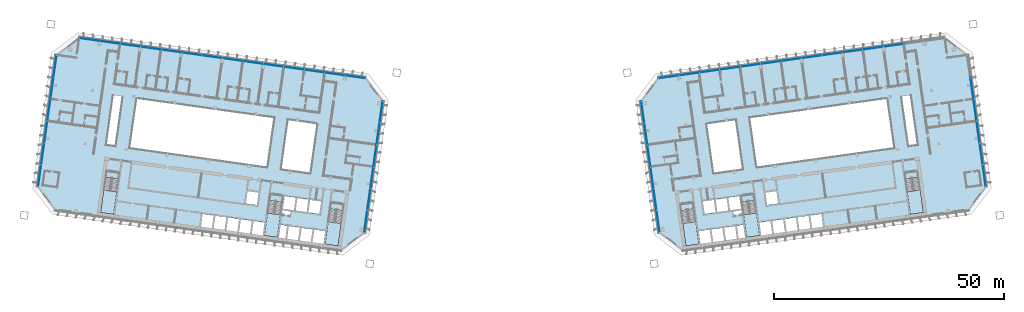
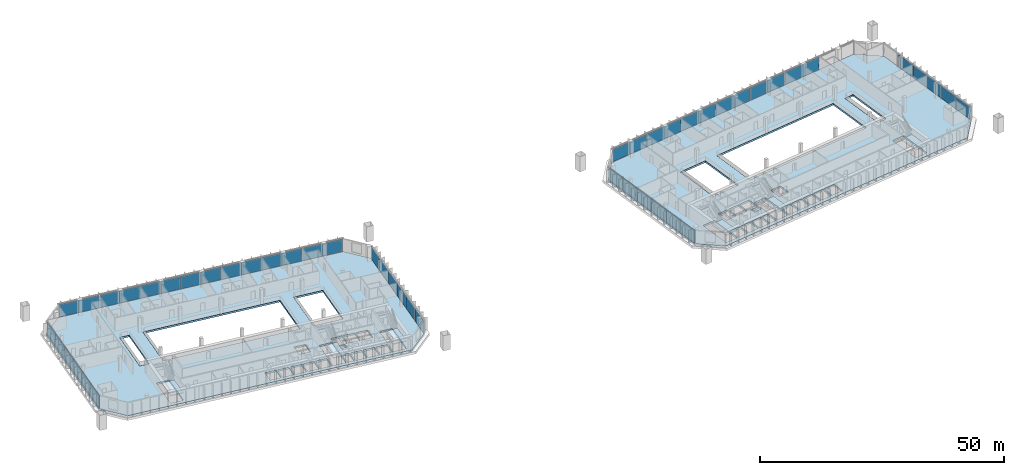
# One storey, part 12 of 25: 49 plates, 8 slabs, 12 elements without a shape of their own.
"""IFC4 building model written with IfcOpenShell, lengths in metres."""

from ifc_helpers import new_model, si_unit, direction, frame, origin, origin_2d, place, context, subcontext, project, spatial, polyline, rectangle, outline, extrude, material, layer, layer_set, type_object, element, aggregate, save


model = new_model("IFC4")

# Units and contexts
model_context = context("Model", 3, precision=1e-05, world=origin(), true_north=direction((0.0, 1.0)))
body_context = subcontext(model_context, "Body", "Model", "MODEL_VIEW")
ifc_project = project(units=[si_unit("LENGTHUNIT", "METRE"), si_unit("AREAUNIT", "SQUARE_METRE"), si_unit("VOLUMEUNIT", "CUBIC_METRE"), si_unit("PLANEANGLEUNIT", "RADIAN"), si_unit("MASSUNIT", "GRAM", prefix="KILO")], contexts=[model_context])

# Site, building, storey
site_placement = place(None, origin())
site = spatial("IfcSite", under=ifc_project, at=site_placement, CompositionType="ELEMENT")
building_placement = place(site_placement, origin())
building = spatial("IfcBuilding", under=site, at=building_placement, Name="Mirante Cascada Hotel Towers", CompositionType="ELEMENT")
storey_placement = place(building_placement, frame((0.0, 0.0, 136.7)))
storey = spatial("IfcBuildingStorey", under=building, at=storey_placement, Name="L31", CompositionType="ELEMENT", Elevation=136.7)

# Curtain wall, plates
ifc_material_1 = material(Name="Aluminium mullion and transom frame with clear laminated glass", Category="aluminium")
curtain_wall_type_1 = type_object("IfcCurtainWallType", Name="Ribbon curtain wall ECW1", PredefinedType="NOTDEFINED", material=ifc_material_1)
curtain_wall_1_placement = place(storey_placement, origin())
curtain_wall_1 = element("IfcCurtainWall", 1, at=curtain_wall_1_placement, inside=storey, type_object=curtain_wall_type_1, Name="Front ribbon wall T1 L31", PredefinedType="NOTDEFINED")
ifc_material_2 = material(Name="Clear laminated glass", Category="glass")
ifc_layer_1 = layer(ifc_material_2, 0.036)
ifc_layer_set_1 = layer_set([ifc_layer_1], Name="ECW1 glass panel 36")
plate_type_1 = type_object("IfcPlateType", Name="ECW1 glass panel 36", PredefinedType="CURTAIN_PANEL", material=ifc_layer_set_1)
plate_1_placement = place(storey_placement, frame((-91.9184, 25.7373, 0.1), z_axis=(0.0, 0.0, 1.0), x_axis=(0.9902681, -0.1391731, 0.0)))
plate_1 = element("IfcPlate", 2, at=plate_1_placement, type_object=plate_type_1, Name="ECW1 panel 1", PredefinedType="CURTAIN_PANEL", context=body_context, shape_type="SweptSolid", body=[
    extrude(rectangle(XDim=4.3936, YDim=0.036, at=origin_2d()), origin(), (0.0, 0.0, 1.0), 3.15),
])
plate_2_placement = place(storey_placement, frame((-87.487, 25.1145, 0.1), z_axis=(0.0, 0.0, 1.0), x_axis=(0.9902681, -0.1391731, 0.0)))
plate_2 = element("IfcPlate", 3, at=plate_2_placement, type_object=plate_type_1, Name="ECW1 panel 2", PredefinedType="CURTAIN_PANEL", context=body_context, shape_type="SweptSolid", body=[
    extrude(rectangle(XDim=4.4261, YDim=0.036, at=origin_2d()), origin(), (0.0, 0.0, 1.0), 3.15),
])
plate_3_placement = place(storey_placement, frame((-83.0396, 24.4895, 0.1), z_axis=(0.0, 0.0, 1.0), x_axis=(0.9902681, -0.1391731, 0.0)))
plate_3 = element("IfcPlate", 4, at=plate_3_placement, type_object=plate_type_1, Name="ECW1 panel 3", PredefinedType="CURTAIN_PANEL", context=body_context, shape_type="SweptSolid", body=[
    extrude(rectangle(XDim=4.4261, YDim=0.036, at=origin_2d()), origin(), (0.0, 0.0, 1.0), 3.15),
])
plate_4_placement = place(storey_placement, frame((-78.5922, 23.8644, 0.1), z_axis=(0.0, 0.0, 1.0), x_axis=(0.9902681, -0.1391731, 0.0)))
plate_4 = element("IfcPlate", 5, at=plate_4_placement, type_object=plate_type_1, Name="ECW1 panel 4", PredefinedType="CURTAIN_PANEL", context=body_context, shape_type="SweptSolid", body=[
    extrude(rectangle(XDim=4.4261, YDim=0.036, at=origin_2d()), origin(), (0.0, 0.0, 1.0), 3.15),
])
plate_5_placement = place(storey_placement, frame((-74.1448, 23.2394, 0.1), z_axis=(0.0, 0.0, 1.0), x_axis=(0.9902681, -0.1391731, 0.0)))
plate_5 = element("IfcPlate", 6, at=plate_5_placement, type_object=plate_type_1, Name="ECW1 panel 5", PredefinedType="CURTAIN_PANEL", context=body_context, shape_type="SweptSolid", body=[
    extrude(rectangle(XDim=4.4261, YDim=0.036, at=origin_2d()), origin(), (0.0, 0.0, 1.0), 3.15),
])
plate_6_placement = place(storey_placement, frame((-69.6974, 22.6144, 0.1), z_axis=(0.0, 0.0, 1.0), x_axis=(0.9902681, -0.1391731, 0.0)))
plate_6 = element("IfcPlate", 7, at=plate_6_placement, type_object=plate_type_1, Name="ECW1 panel 6", PredefinedType="CURTAIN_PANEL", context=body_context, shape_type="SweptSolid", body=[
    extrude(rectangle(XDim=4.4261, YDim=0.036, at=origin_2d()), origin(), (0.0, 0.0, 1.0), 3.15),
])
plate_7_placement = place(storey_placement, frame((-65.2499, 21.9893, 0.1), z_axis=(0.0, 0.0, 1.0), x_axis=(0.9902681, -0.1391731, 0.0)))
plate_7 = element("IfcPlate", 8, at=plate_7_placement, type_object=plate_type_1, Name="ECW1 panel 7", PredefinedType="CURTAIN_PANEL", context=body_context, shape_type="SweptSolid", body=[
    extrude(rectangle(XDim=4.4261, YDim=0.036, at=origin_2d()), origin(), (0.0, 0.0, 1.0), 3.15),
])
plate_8_placement = place(storey_placement, frame((-60.8025, 21.3643, 0.1), z_axis=(0.0, 0.0, 1.0), x_axis=(0.9902681, -0.1391731, 0.0)))
plate_8 = element("IfcPlate", 9, at=plate_8_placement, type_object=plate_type_1, Name="ECW1 panel 8", PredefinedType="CURTAIN_PANEL", context=body_context, shape_type="SweptSolid", body=[
    extrude(rectangle(XDim=4.4261, YDim=0.036, at=origin_2d()), origin(), (0.0, 0.0, 1.0), 3.15),
])
plate_9_placement = place(storey_placement, frame((-56.3551, 20.7392, 0.1), z_axis=(0.0, 0.0, 1.0), x_axis=(0.9902681, -0.1391731, 0.0)))
plate_9 = element("IfcPlate", 10, at=plate_9_placement, type_object=plate_type_1, Name="ECW1 panel 9", PredefinedType="CURTAIN_PANEL", context=body_context, shape_type="SweptSolid", body=[
    extrude(rectangle(XDim=4.4261, YDim=0.036, at=origin_2d()), origin(), (0.0, 0.0, 1.0), 3.15),
])
plate_10_placement = place(storey_placement, frame((-51.9077, 20.1142, 0.1), z_axis=(0.0, 0.0, 1.0), x_axis=(0.9902681, -0.1391731, 0.0)))
plate_10 = element("IfcPlate", 11, at=plate_10_placement, type_object=plate_type_1, Name="ECW1 panel 10", PredefinedType="CURTAIN_PANEL", context=body_context, shape_type="SweptSolid", body=[
    extrude(rectangle(XDim=4.4261, YDim=0.036, at=origin_2d()), origin(), (0.0, 0.0, 1.0), 3.15),
])
plate_11_placement = place(storey_placement, frame((-47.4603, 19.4891, 0.1), z_axis=(0.0, 0.0, 1.0), x_axis=(0.9902681, -0.1391731, 0.0)))
plate_11 = element("IfcPlate", 12, at=plate_11_placement, type_object=plate_type_1, Name="ECW1 panel 11", PredefinedType="CURTAIN_PANEL", context=body_context, shape_type="SweptSolid", body=[
    extrude(rectangle(XDim=4.4261, YDim=0.036, at=origin_2d()), origin(), (0.0, 0.0, 1.0), 3.15),
])
plate_12_placement = place(storey_placement, frame((-43.0129, 18.8641, 0.1), z_axis=(0.0, 0.0, 1.0), x_axis=(0.9902681, -0.1391731, 0.0)))
plate_12 = element("IfcPlate", 13, at=plate_12_placement, type_object=plate_type_1, Name="ECW1 panel 12", PredefinedType="CURTAIN_PANEL", context=body_context, shape_type="SweptSolid", body=[
    extrude(rectangle(XDim=4.4261, YDim=0.036, at=origin_2d()), origin(), (0.0, 0.0, 1.0), 3.15),
])
plate_13_placement = place(storey_placement, frame((-38.5654, 18.239, 0.1), z_axis=(0.0, 0.0, 1.0), x_axis=(0.9902681, -0.1391731, 0.0)))
plate_13 = element("IfcPlate", 14, at=plate_13_placement, type_object=plate_type_1, Name="ECW1 panel 13", PredefinedType="CURTAIN_PANEL", context=body_context, shape_type="SweptSolid", body=[
    extrude(rectangle(XDim=4.4261, YDim=0.036, at=origin_2d()), origin(), (0.0, 0.0, 1.0), 3.15),
])
plate_14_placement = place(storey_placement, frame((-34.1341, 17.6163, 0.1), z_axis=(0.0, 0.0, 1.0), x_axis=(0.9902681, -0.1391731, 0.0)))
plate_14 = element("IfcPlate", 15, at=plate_14_placement, type_object=plate_type_1, Name="ECW1 panel 14", PredefinedType="CURTAIN_PANEL", context=body_context, shape_type="SweptSolid", body=[
    extrude(rectangle(XDim=4.3936, YDim=0.036, at=origin_2d()), origin(), (0.0, 0.0, 1.0), 3.15),
])
aggregate(curtain_wall_1, [plate_1, plate_2, plate_3, plate_4, plate_5, plate_6, plate_7, plate_8, plate_9, plate_10, plate_11, plate_12, plate_13, plate_14])

curtain_wall_2_placement = place(storey_placement, origin())
curtain_wall_2 = element("IfcCurtainWall", 16, at=curtain_wall_2_placement, inside=storey, type_object=curtain_wall_type_1, Name="Front ribbon wall T2 L31", PredefinedType="NOTDEFINED")
plate_15_placement = place(storey_placement, frame((83.0396, 24.4895, 0.1), z_axis=(0.0, 0.0, 1.0), x_axis=(-0.9902681, -0.1391731, 0.0)))
plate_15 = element("IfcPlate", 17, at=plate_15_placement, type_object=plate_type_1, Name="ECW1 panel 3", PredefinedType="CURTAIN_PANEL", context=body_context, shape_type="SweptSolid", body=[
    extrude(rectangle(XDim=4.4261, YDim=0.036, at=origin_2d()), origin(), (0.0, 0.0, 1.0), 3.15),
])
plate_16_placement = place(storey_placement, frame((78.5922, 23.8644, 0.1), z_axis=(0.0, 0.0, 1.0), x_axis=(-0.9902681, -0.1391731, 0.0)))
plate_16 = element("IfcPlate", 18, at=plate_16_placement, type_object=plate_type_1, Name="ECW1 panel 4", PredefinedType="CURTAIN_PANEL", context=body_context, shape_type="SweptSolid", body=[
    extrude(rectangle(XDim=4.4261, YDim=0.036, at=origin_2d()), origin(), (0.0, 0.0, 1.0), 3.15),
])
plate_17_placement = place(storey_placement, frame((74.1448, 23.2394, 0.1), z_axis=(0.0, 0.0, 1.0), x_axis=(-0.9902681, -0.1391731, 0.0)))
plate_17 = element("IfcPlate", 19, at=plate_17_placement, type_object=plate_type_1, Name="ECW1 panel 5", PredefinedType="CURTAIN_PANEL", context=body_context, shape_type="SweptSolid", body=[
    extrude(rectangle(XDim=4.4261, YDim=0.036, at=origin_2d()), origin(), (0.0, 0.0, 1.0), 3.15),
])
plate_18_placement = place(storey_placement, frame((69.6974, 22.6144, 0.1), z_axis=(0.0, 0.0, 1.0), x_axis=(-0.9902681, -0.1391731, 0.0)))
plate_18 = element("IfcPlate", 20, at=plate_18_placement, type_object=plate_type_1, Name="ECW1 panel 6", PredefinedType="CURTAIN_PANEL", context=body_context, shape_type="SweptSolid", body=[
    extrude(rectangle(XDim=4.4261, YDim=0.036, at=origin_2d()), origin(), (0.0, 0.0, 1.0), 3.15),
])
plate_19_placement = place(storey_placement, frame((65.2499, 21.9893, 0.1), z_axis=(0.0, 0.0, 1.0), x_axis=(-0.9902681, -0.1391731, 0.0)))
plate_19 = element("IfcPlate", 21, at=plate_19_placement, type_object=plate_type_1, Name="ECW1 panel 7", PredefinedType="CURTAIN_PANEL", context=body_context, shape_type="SweptSolid", body=[
    extrude(rectangle(XDim=4.4261, YDim=0.036, at=origin_2d()), origin(), (0.0, 0.0, 1.0), 3.15),
])
plate_20_placement = place(storey_placement, frame((60.8025, 21.3643, 0.1), z_axis=(0.0, 0.0, 1.0), x_axis=(-0.9902681, -0.1391731, 0.0)))
plate_20 = element("IfcPlate", 22, at=plate_20_placement, type_object=plate_type_1, Name="ECW1 panel 8", PredefinedType="CURTAIN_PANEL", context=body_context, shape_type="SweptSolid", body=[
    extrude(rectangle(XDim=4.4261, YDim=0.036, at=origin_2d()), origin(), (0.0, 0.0, 1.0), 3.15),
])
plate_21_placement = place(storey_placement, frame((56.3551, 20.7392, 0.1), z_axis=(0.0, 0.0, 1.0), x_axis=(-0.9902681, -0.1391731, 0.0)))
plate_21 = element("IfcPlate", 23, at=plate_21_placement, type_object=plate_type_1, Name="ECW1 panel 9", PredefinedType="CURTAIN_PANEL", context=body_context, shape_type="SweptSolid", body=[
    extrude(rectangle(XDim=4.4261, YDim=0.036, at=origin_2d()), origin(), (0.0, 0.0, 1.0), 3.15),
])
plate_22_placement = place(storey_placement, frame((51.9077, 20.1142, 0.1), z_axis=(0.0, 0.0, 1.0), x_axis=(-0.9902681, -0.1391731, 0.0)))
plate_22 = element("IfcPlate", 24, at=plate_22_placement, type_object=plate_type_1, Name="ECW1 panel 10", PredefinedType="CURTAIN_PANEL", context=body_context, shape_type="SweptSolid", body=[
    extrude(rectangle(XDim=4.4261, YDim=0.036, at=origin_2d()), origin(), (0.0, 0.0, 1.0), 3.15),
])
plate_23_placement = place(storey_placement, frame((47.4603, 19.4891, 0.1), z_axis=(0.0, 0.0, 1.0), x_axis=(-0.9902681, -0.1391731, 0.0)))
plate_23 = element("IfcPlate", 25, at=plate_23_placement, type_object=plate_type_1, Name="ECW1 panel 11", PredefinedType="CURTAIN_PANEL", context=body_context, shape_type="SweptSolid", body=[
    extrude(rectangle(XDim=4.4261, YDim=0.036, at=origin_2d()), origin(), (0.0, 0.0, 1.0), 3.15),
])
plate_24_placement = place(storey_placement, frame((43.0129, 18.8641, 0.1), z_axis=(0.0, 0.0, 1.0), x_axis=(-0.9902681, -0.1391731, 0.0)))
plate_24 = element("IfcPlate", 26, at=plate_24_placement, type_object=plate_type_1, Name="ECW1 panel 12", PredefinedType="CURTAIN_PANEL", context=body_context, shape_type="SweptSolid", body=[
    extrude(rectangle(XDim=4.4261, YDim=0.036, at=origin_2d()), origin(), (0.0, 0.0, 1.0), 3.15),
])
plate_25_placement = place(storey_placement, frame((38.5654, 18.239, 0.1), z_axis=(0.0, 0.0, 1.0), x_axis=(-0.9902681, -0.1391731, 0.0)))
plate_25 = element("IfcPlate", 27, at=plate_25_placement, type_object=plate_type_1, Name="ECW1 panel 13", PredefinedType="CURTAIN_PANEL", context=body_context, shape_type="SweptSolid", body=[
    extrude(rectangle(XDim=4.4261, YDim=0.036, at=origin_2d()), origin(), (0.0, 0.0, 1.0), 3.15),
])
plate_26_placement = place(storey_placement, frame((34.1341, 17.6163, 0.1), z_axis=(0.0, 0.0, 1.0), x_axis=(-0.9902681, -0.1391731, 0.0)))
plate_26 = element("IfcPlate", 28, at=plate_26_placement, type_object=plate_type_1, Name="ECW1 panel 14", PredefinedType="CURTAIN_PANEL", context=body_context, shape_type="SweptSolid", body=[
    extrude(rectangle(XDim=4.3936, YDim=0.036, at=origin_2d()), origin(), (0.0, 0.0, 1.0), 3.15),
])
aggregate(curtain_wall_2, [plate_15, plate_16, plate_17, plate_18, plate_19, plate_20, plate_21, plate_22, plate_23, plate_24, plate_25, plate_26])

ifc_material_3 = material(Name="Aluminium mullion and transom frame with clear laminated glass", Category="aluminium")
curtain_wall_type_2 = type_object("IfcCurtainWallType", Name="End ribbon curtain wall ECW2", PredefinedType="NOTDEFINED", material=ifc_material_3)
curtain_wall_3_placement = place(storey_placement, origin())
curtain_wall_3 = element("IfcCurtainWall", 29, at=curtain_wall_3_placement, inside=storey, type_object=curtain_wall_type_2, Name="Inner end wall T1 L31", PredefinedType="NOTDEFINED")
ifc_material_4 = material(Name="Clear laminated glass", Category="glass")
ifc_layer_2 = layer(ifc_material_4, 0.034)
ifc_layer_set_2 = layer_set([ifc_layer_2], Name="ECW2 glass panel 34")
plate_type_2 = type_object("IfcPlateType", Name="ECW2 glass panel 34", PredefinedType="CURTAIN_PANEL", material=ifc_layer_set_2)
plate_27_placement = place(storey_placement, frame((-28.4763, 9.9193, 0.1), z_axis=(0.0, 0.0, 1.0), x_axis=(-0.1391731, -0.9902681, 0.0)))
plate_27 = element("IfcPlate", 30, at=plate_27_placement, type_object=plate_type_2, Name="ECW2 panel 1", PredefinedType="CURTAIN_PANEL", context=body_context, shape_type="SweptSolid", body=[
    extrude(rectangle(XDim=4.7151, YDim=0.034, at=origin_2d()), origin(), (0.0, 0.0, 1.0), 3.15),
])
plate_28_placement = place(storey_placement, frame((-29.1439, 5.1696, 0.1), z_axis=(0.0, 0.0, 1.0), x_axis=(-0.1391731, -0.9902681, 0.0)))
plate_28 = element("IfcPlate", 31, at=plate_28_placement, type_object=plate_type_2, Name="ECW2 panel 2", PredefinedType="CURTAIN_PANEL", context=body_context, shape_type="SweptSolid", body=[
    extrude(rectangle(XDim=4.7476, YDim=0.034, at=origin_2d()), origin(), (0.0, 0.0, 1.0), 3.15),
])
plate_29_placement = place(storey_placement, frame((-29.8136, 0.4038, 0.1), z_axis=(0.0, 0.0, 1.0), x_axis=(-0.1391731, -0.9902681, 0.0)))
plate_29 = element("IfcPlate", 32, at=plate_29_placement, type_object=plate_type_2, Name="ECW2 panel 3", PredefinedType="CURTAIN_PANEL", context=body_context, shape_type="SweptSolid", body=[
    extrude(rectangle(XDim=4.7476, YDim=0.034, at=origin_2d()), origin(), (0.0, 0.0, 1.0), 3.15),
])
plate_30_placement = place(storey_placement, frame((-30.4834, -4.362, 0.1), z_axis=(0.0, 0.0, 1.0), x_axis=(-0.1391731, -0.9902681, 0.0)))
plate_30 = element("IfcPlate", 33, at=plate_30_placement, type_object=plate_type_2, Name="ECW2 panel 4", PredefinedType="CURTAIN_PANEL", context=body_context, shape_type="SweptSolid", body=[
    extrude(rectangle(XDim=4.7476, YDim=0.034, at=origin_2d()), origin(), (0.0, 0.0, 1.0), 3.15),
])
plate_31_placement = place(storey_placement, frame((-31.1532, -9.1278, 0.1), z_axis=(0.0, 0.0, 1.0), x_axis=(-0.1391731, -0.9902681, 0.0)))
plate_31 = element("IfcPlate", 34, at=plate_31_placement, type_object=plate_type_2, Name="ECW2 panel 5", PredefinedType="CURTAIN_PANEL", context=body_context, shape_type="SweptSolid", body=[
    extrude(rectangle(XDim=4.7476, YDim=0.034, at=origin_2d()), origin(), (0.0, 0.0, 1.0), 3.15),
])
plate_32_placement = place(storey_placement, frame((-31.8207, -13.8775, 0.1), z_axis=(0.0, 0.0, 1.0), x_axis=(-0.1391731, -0.9902681, 0.0)))
plate_32 = element("IfcPlate", 35, at=plate_32_placement, type_object=plate_type_2, Name="ECW2 panel 6", PredefinedType="CURTAIN_PANEL", context=body_context, shape_type="SweptSolid", body=[
    extrude(rectangle(XDim=4.7151, YDim=0.034, at=origin_2d()), origin(), (0.0, 0.0, 1.0), 3.15),
])
aggregate(curtain_wall_3, [plate_27, plate_28, plate_29, plate_30, plate_31, plate_32])

curtain_wall_4_placement = place(storey_placement, origin())
curtain_wall_4 = element("IfcCurtainWall", 36, at=curtain_wall_4_placement, inside=storey, type_object=curtain_wall_type_2, Name="Outer end wall T1 L31", PredefinedType="NOTDEFINED")
plate_33_placement = place(storey_placement, frame((-102.823, -3.8988, 0.1), z_axis=(0.0, 0.0, 1.0), x_axis=(0.1391731, 0.9902681, 0.0)))
plate_33 = element("IfcPlate", 37, at=plate_33_placement, type_object=plate_type_2, Name="ECW2 panel 1", PredefinedType="CURTAIN_PANEL", context=body_context, shape_type="SweptSolid", body=[
    extrude(rectangle(XDim=4.7151, YDim=0.034, at=origin_2d()), origin(), (0.0, 0.0, 1.0), 3.15),
])
plate_34_placement = place(storey_placement, frame((-99.4786, 19.898, 0.1), z_axis=(0.0, 0.0, 1.0), x_axis=(0.1391731, 0.9902681, 0.0)))
plate_34 = element("IfcPlate", 38, at=plate_34_placement, type_object=plate_type_2, Name="ECW2 panel 6", PredefinedType="CURTAIN_PANEL", context=body_context, shape_type="SweptSolid", body=[
    extrude(rectangle(XDim=4.7151, YDim=0.034, at=origin_2d()), origin(), (0.0, 0.0, 1.0), 3.15),
])

curtain_wall_5_placement = place(storey_placement, origin())
curtain_wall_5 = element("IfcCurtainWall", 39, at=curtain_wall_5_placement, inside=storey, type_object=curtain_wall_type_2, Name="Inner end wall T2 L31", PredefinedType="NOTDEFINED")
plate_35_placement = place(storey_placement, frame((28.4763, 9.9193, 0.1), z_axis=(0.0, 0.0, 1.0), x_axis=(0.1391731, -0.9902681, 0.0)))
plate_35 = element("IfcPlate", 40, at=plate_35_placement, type_object=plate_type_2, Name="ECW2 panel 1", PredefinedType="CURTAIN_PANEL", context=body_context, shape_type="SweptSolid", body=[
    extrude(rectangle(XDim=4.7151, YDim=0.034, at=origin_2d()), origin(), (0.0, 0.0, 1.0), 3.15),
])
plate_36_placement = place(storey_placement, frame((29.1439, 5.1696, 0.1), z_axis=(0.0, 0.0, 1.0), x_axis=(0.1391731, -0.9902681, 0.0)))
plate_36 = element("IfcPlate", 41, at=plate_36_placement, type_object=plate_type_2, Name="ECW2 panel 2", PredefinedType="CURTAIN_PANEL", context=body_context, shape_type="SweptSolid", body=[
    extrude(rectangle(XDim=4.7476, YDim=0.034, at=origin_2d()), origin(), (0.0, 0.0, 1.0), 3.15),
])
plate_37_placement = place(storey_placement, frame((29.8136, 0.4038, 0.1), z_axis=(0.0, 0.0, 1.0), x_axis=(0.1391731, -0.9902681, 0.0)))
plate_37 = element("IfcPlate", 42, at=plate_37_placement, type_object=plate_type_2, Name="ECW2 panel 3", PredefinedType="CURTAIN_PANEL", context=body_context, shape_type="SweptSolid", body=[
    extrude(rectangle(XDim=4.7476, YDim=0.034, at=origin_2d()), origin(), (0.0, 0.0, 1.0), 3.15),
])
plate_38_placement = place(storey_placement, frame((30.4834, -4.362, 0.1), z_axis=(0.0, 0.0, 1.0), x_axis=(0.1391731, -0.9902681, 0.0)))
plate_38 = element("IfcPlate", 43, at=plate_38_placement, type_object=plate_type_2, Name="ECW2 panel 4", PredefinedType="CURTAIN_PANEL", context=body_context, shape_type="SweptSolid", body=[
    extrude(rectangle(XDim=4.7476, YDim=0.034, at=origin_2d()), origin(), (0.0, 0.0, 1.0), 3.15),
])
plate_39_placement = place(storey_placement, frame((31.1532, -9.1278, 0.1), z_axis=(0.0, 0.0, 1.0), x_axis=(0.1391731, -0.9902681, 0.0)))
plate_39 = element("IfcPlate", 44, at=plate_39_placement, type_object=plate_type_2, Name="ECW2 panel 5", PredefinedType="CURTAIN_PANEL", context=body_context, shape_type="SweptSolid", body=[
    extrude(rectangle(XDim=4.7476, YDim=0.034, at=origin_2d()), origin(), (0.0, 0.0, 1.0), 3.15),
])
plate_40_placement = place(storey_placement, frame((31.8207, -13.8775, 0.1), z_axis=(0.0, 0.0, 1.0), x_axis=(0.1391731, -0.9902681, 0.0)))
plate_40 = element("IfcPlate", 45, at=plate_40_placement, type_object=plate_type_2, Name="ECW2 panel 6", PredefinedType="CURTAIN_PANEL", context=body_context, shape_type="SweptSolid", body=[
    extrude(rectangle(XDim=4.7151, YDim=0.034, at=origin_2d()), origin(), (0.0, 0.0, 1.0), 3.15),
])
aggregate(curtain_wall_5, [plate_35, plate_36, plate_37, plate_38, plate_39, plate_40])

# Curtain wall, plate
curtain_wall_6_placement = place(storey_placement, origin())
curtain_wall_6 = element("IfcCurtainWall", 46, at=curtain_wall_6_placement, inside=storey, type_object=curtain_wall_type_2, Name="Outer end wall T2 L31", PredefinedType="NOTDEFINED")
plate_41_placement = place(storey_placement, frame((102.823, -3.8988, 0.1), z_axis=(0.0, 0.0, 1.0), x_axis=(-0.1391731, 0.9902681, 0.0)))
plate_41 = element("IfcPlate", 47, at=plate_41_placement, type_object=plate_type_2, Name="ECW2 panel 1", PredefinedType="CURTAIN_PANEL", context=body_context, shape_type="SweptSolid", body=[
    extrude(rectangle(XDim=4.7151, YDim=0.034, at=origin_2d()), origin(), (0.0, 0.0, 1.0), 3.15),
])

# Plate
ifc_material_5 = material(Name="Insulated aluminium spandrel panel", Category="aluminium")
ifc_layer_3 = layer(ifc_material_5, 0.034)
ifc_layer_set_3 = layer_set([ifc_layer_3], Name="ECW2 spandrel panel 34")
plate_type_3 = type_object("IfcPlateType", Name="ECW2 spandrel panel 34", PredefinedType="CURTAIN_PANEL", material=ifc_layer_set_3)
plate_42_placement = place(storey_placement, frame((-102.1554, 0.8509, 0.1), z_axis=(0.0, 0.0, 1.0), x_axis=(0.1391731, 0.9902681, 0.0)))
plate_42 = element("IfcPlate", 48, at=plate_42_placement, type_object=plate_type_3, Name="ECW2 panel 2", PredefinedType="CURTAIN_PANEL", context=body_context, shape_type="SweptSolid", body=[
    extrude(rectangle(XDim=4.7476, YDim=0.034, at=origin_2d()), origin(), (0.0, 0.0, 1.0), 3.15),
])

plate_43_placement = place(storey_placement, frame((-101.4857, 5.6167, 0.1), z_axis=(0.0, 0.0, 1.0), x_axis=(0.1391731, 0.9902681, 0.0)))
plate_43 = element("IfcPlate", 49, at=plate_43_placement, type_object=plate_type_3, Name="ECW2 panel 3", PredefinedType="CURTAIN_PANEL", context=body_context, shape_type="SweptSolid", body=[
    extrude(rectangle(XDim=4.7476, YDim=0.034, at=origin_2d()), origin(), (0.0, 0.0, 1.0), 3.15),
])

plate_44_placement = place(storey_placement, frame((-100.8159, 10.3825, 0.1), z_axis=(0.0, 0.0, 1.0), x_axis=(0.1391731, 0.9902681, 0.0)))
plate_44 = element("IfcPlate", 50, at=plate_44_placement, type_object=plate_type_3, Name="ECW2 panel 4", PredefinedType="CURTAIN_PANEL", context=body_context, shape_type="SweptSolid", body=[
    extrude(rectangle(XDim=4.7476, YDim=0.034, at=origin_2d()), origin(), (0.0, 0.0, 1.0), 3.15),
])

plate_45_placement = place(storey_placement, frame((-100.1461, 15.1483, 0.1), z_axis=(0.0, 0.0, 1.0), x_axis=(0.1391731, 0.9902681, 0.0)))
plate_45 = element("IfcPlate", 51, at=plate_45_placement, type_object=plate_type_3, Name="ECW2 panel 5", PredefinedType="CURTAIN_PANEL", context=body_context, shape_type="SweptSolid", body=[
    extrude(rectangle(XDim=4.7476, YDim=0.034, at=origin_2d()), origin(), (0.0, 0.0, 1.0), 3.15),
])

aggregate(curtain_wall_4, [plate_33, plate_42, plate_43, plate_44, plate_45, plate_34])

plate_46_placement = place(storey_placement, frame((102.1554, 0.8509, 0.1), z_axis=(0.0, 0.0, 1.0), x_axis=(-0.1391731, 0.9902681, 0.0)))
plate_46 = element("IfcPlate", 52, at=plate_46_placement, type_object=plate_type_3, Name="ECW2 panel 2", PredefinedType="CURTAIN_PANEL", context=body_context, shape_type="SweptSolid", body=[
    extrude(rectangle(XDim=4.7476, YDim=0.034, at=origin_2d()), origin(), (0.0, 0.0, 1.0), 3.15),
])

plate_47_placement = place(storey_placement, frame((101.4857, 5.6167, 0.1), z_axis=(0.0, 0.0, 1.0), x_axis=(-0.1391731, 0.9902681, 0.0)))
plate_47 = element("IfcPlate", 53, at=plate_47_placement, type_object=plate_type_3, Name="ECW2 panel 3", PredefinedType="CURTAIN_PANEL", context=body_context, shape_type="SweptSolid", body=[
    extrude(rectangle(XDim=4.7476, YDim=0.034, at=origin_2d()), origin(), (0.0, 0.0, 1.0), 3.15),
])

plate_48_placement = place(storey_placement, frame((100.8159, 10.3825, 0.1), z_axis=(0.0, 0.0, 1.0), x_axis=(-0.1391731, 0.9902681, 0.0)))
plate_48 = element("IfcPlate", 54, at=plate_48_placement, type_object=plate_type_3, Name="ECW2 panel 4", PredefinedType="CURTAIN_PANEL", context=body_context, shape_type="SweptSolid", body=[
    extrude(rectangle(XDim=4.7476, YDim=0.034, at=origin_2d()), origin(), (0.0, 0.0, 1.0), 3.15),
])

plate_49_placement = place(storey_placement, frame((100.1461, 15.1483, 0.1), z_axis=(0.0, 0.0, 1.0), x_axis=(-0.1391731, 0.9902681, 0.0)))
plate_49 = element("IfcPlate", 55, at=plate_49_placement, type_object=plate_type_3, Name="ECW2 panel 5", PredefinedType="CURTAIN_PANEL", context=body_context, shape_type="SweptSolid", body=[
    extrude(rectangle(XDim=4.7476, YDim=0.034, at=origin_2d()), origin(), (0.0, 0.0, 1.0), 3.15),
])

aggregate(curtain_wall_6, [plate_41, plate_46, plate_47, plate_48, plate_49])

# Stair, slab
ifc_material_6 = material(Name="Concrete C35/45", Category="concrete")
stair_type = type_object("IfcStairType", Name="Exit stair half-turn 1350 concrete C35/45", PredefinedType="HALF_TURN_STAIR", material=ifc_material_6)
stair_1_placement = place(storey_placement, origin())
stair_1 = element("IfcStair", 56, at=stair_1_placement, inside=storey, type_object=stair_type, Name="L31 Exit stair A", PredefinedType="HALF_TURN_STAIR")
ifc_material_7 = material(Name="Concrete C35/45", Category="concrete")
ifc_layer_4 = layer(ifc_material_7, 0.2)
ifc_layer_set_4 = layer_set([ifc_layer_4], Name="Exit stair landing 200 concrete C35/45")
slab_type_1 = type_object("IfcSlabType", Name="Exit stair landing 200 concrete C35/45", PredefinedType="LANDING", material=ifc_layer_set_4)
slab_1_placement = place(storey_placement, frame((0.0, 0.0, 1.7)))
slab_1 = element("IfcSlab", 57, at=slab_1_placement, type_object=slab_type_1, Name="ST1-A landing 1", PredefinedType="LANDING", context=body_context, shape_type="SweptSolid", body=[
    extrude(outline(polyline([(-39.9987, -13.8659), (-40.6887, -18.7757), (-37.8665, -19.1723), (-37.1765, -14.2626), (-39.9987, -13.8659)])), origin(), (0.0, 0.0, 1.0), 0.2),
])
aggregate(stair_1, [slab_1])

stair_2_placement = place(storey_placement, origin())
stair_2 = element("IfcStair", 58, at=stair_2_placement, inside=storey, type_object=stair_type, Name="L31 Exit stair B", PredefinedType="HALF_TURN_STAIR")
slab_2_placement = place(storey_placement, frame((0.0, 0.0, 1.7)))
slab_2 = element("IfcSlab", 59, at=slab_2_placement, type_object=slab_type_1, Name="ST1-B landing 1", PredefinedType="LANDING", context=body_context, shape_type="SweptSolid", body=[
    extrude(outline(polyline([(-53.2188, -12.008), (-53.9088, -16.9177), (-51.0866, -17.3144), (-50.3965, -12.4046), (-53.2188, -12.008)])), origin(), (0.0, 0.0, 1.0), 0.2),
])
aggregate(stair_2, [slab_2])

stair_3_placement = place(storey_placement, origin())
stair_3 = element("IfcStair", 60, at=stair_3_placement, inside=storey, type_object=stair_type, Name="L31 Exit stair C", PredefinedType="HALF_TURN_STAIR")
slab_3_placement = place(storey_placement, frame((0.0, 0.0, 1.7)))
slab_3 = element("IfcSlab", 61, at=slab_3_placement, type_object=slab_type_1, Name="ST1-C landing 1", PredefinedType="LANDING", context=body_context, shape_type="SweptSolid", body=[
    extrude(outline(polyline([(-88.8685, -6.9977), (-89.5585, -11.9075), (-86.7362, -12.3041), (-86.0462, -7.3944), (-88.8685, -6.9977)])), origin(), (0.0, 0.0, 1.0), 0.2),
])
aggregate(stair_3, [slab_3])

stair_4_placement = place(storey_placement, origin())
stair_4 = element("IfcStair", 62, at=stair_4_placement, inside=storey, type_object=stair_type, Name="L31 Exit stair A", PredefinedType="HALF_TURN_STAIR")
slab_4_placement = place(storey_placement, frame((0.0, 0.0, 1.7)))
slab_4 = element("IfcSlab", 63, at=slab_4_placement, type_object=slab_type_1, Name="ST2-A landing 1", PredefinedType="LANDING", context=body_context, shape_type="SweptSolid", body=[
    extrude(outline(polyline([(37.1765, -14.2626), (37.8665, -19.1723), (40.6887, -18.7757), (39.9987, -13.8659), (37.1765, -14.2626)])), origin(), (0.0, 0.0, 1.0), 0.2),
])
aggregate(stair_4, [slab_4])

stair_5_placement = place(storey_placement, origin())
stair_5 = element("IfcStair", 64, at=stair_5_placement, inside=storey, type_object=stair_type, Name="L31 Exit stair B", PredefinedType="HALF_TURN_STAIR")
slab_5_placement = place(storey_placement, frame((0.0, 0.0, 1.7)))
slab_5 = element("IfcSlab", 65, at=slab_5_placement, type_object=slab_type_1, Name="ST2-B landing 1", PredefinedType="LANDING", context=body_context, shape_type="SweptSolid", body=[
    extrude(outline(polyline([(50.3965, -12.4046), (51.0866, -17.3144), (53.9088, -16.9177), (53.2188, -12.008), (50.3965, -12.4046)])), origin(), (0.0, 0.0, 1.0), 0.2),
])
aggregate(stair_5, [slab_5])

stair_6_placement = place(storey_placement, origin())
stair_6 = element("IfcStair", 66, at=stair_6_placement, inside=storey, type_object=stair_type, Name="L31 Exit stair C", PredefinedType="HALF_TURN_STAIR")
slab_6_placement = place(storey_placement, frame((0.0, 0.0, 1.7)))
slab_6 = element("IfcSlab", 67, at=slab_6_placement, type_object=slab_type_1, Name="ST2-C landing 1", PredefinedType="LANDING", context=body_context, shape_type="SweptSolid", body=[
    extrude(outline(polyline([(86.0462, -7.3944), (86.7362, -12.3041), (89.5585, -11.9075), (88.8685, -6.9977), (86.0462, -7.3944)])), origin(), (0.0, 0.0, 1.0), 0.2),
])
aggregate(stair_6, [slab_6])

# Slabs
ifc_material_8 = material(Name="Concrete C40/50", Category="concrete")
ifc_layer_5 = layer(ifc_material_8, 0.45)
ifc_layer_set_5 = layer_set([ifc_layer_5], Name="Post-tensioned flat plate 450 Concrete C40/50")
slab_type_2 = type_object("IfcSlabType", Name="Post-tensioned flat plate 450 Concrete C40/50", PredefinedType="FLOOR", material=ifc_layer_set_5)
slab_7_placement = place(storey_placement, frame((0.0, 0.0, -0.45)))
element("IfcSlab", 68, at=slab_7_placement, inside=storey, type_object=slab_type_2, Name="Floor T1 L31", PredefinedType="FLOOR", context=body_context, shape_type="SweptSolid", body=[
    extrude(outline(polyline([(-32.018, -16.3589), (-27.982, 12.3589), (-31.8119, 17.4414), (-94.1988, 26.2093), (-99.2813, 22.3794), (-103.3173, -6.3384), (-99.4874, -11.4209), (-37.1005, -20.1888), (-32.018, -16.3589)]), holes=[polyline([(-43.0718, -15.6132), (-40.5961, -15.9612), (-40.9858, -18.7339), (-43.4615, -18.386), (-43.0718, -15.6132)]), polyline([(-45.8446, -15.2236), (-43.3689, -15.5715), (-43.7586, -18.3442), (-46.2342, -17.9963), (-45.8446, -15.2236)]), polyline([(-48.6173, -14.8339), (-46.1416, -15.1818), (-46.5313, -17.9546), (-49.007, -17.6066), (-48.6173, -14.8339)]), polyline([(-50.3998, -14.5834), (-48.9144, -14.7921), (-49.3041, -17.5649), (-50.7895, -17.3561), (-50.3998, -14.5834)]), polyline([(-36.7887, -11.5037), (-37.8665, -19.1723), (-40.6887, -18.7757), (-39.611, -11.107), (-36.7887, -11.5037)]), polyline([(-49.9544, -11.4145), (-48.1472, -11.6685), (-48.2829, -12.634), (-50.0901, -12.38), (-49.9544, -11.4145)]), polyline([(-43.9775, -9.124), (-41.5018, -9.472), (-41.8915, -12.2447), (-44.3672, -11.8968), (-43.9775, -9.124)]), polyline([(-47.1399, -11.5071), (-46.7503, -8.7344), (-44.2746, -9.0823), (-44.6643, -11.855), (-47.1399, -11.5071)]), polyline([(-49.9127, -11.1174), (-49.523, -8.3447), (-47.0473, -8.6926), (-47.437, -11.4654), (-49.9127, -11.1174)]), polyline([(-56.2919, -13.7553), (-53.8162, -14.1032), (-54.2059, -16.876), (-56.6816, -16.528), (-56.2919, -13.7553)]), polyline([(-59.0646, -13.3656), (-56.589, -13.7135), (-56.9787, -16.4863), (-59.4543, -16.1383), (-59.0646, -13.3656)]), polyline([(-61.8374, -12.9759), (-59.3617, -13.3238), (-59.7514, -16.0966), (-62.2271, -15.7487), (-61.8374, -12.9759)]), polyline([(-64.6101, -12.5862), (-62.1345, -12.9342), (-62.5242, -15.7069), (-64.9998, -15.359), (-64.6101, -12.5862)]), polyline([(-67.3829, -12.1965), (-64.9072, -12.5445), (-65.2969, -15.3172), (-67.7726, -14.9693), (-67.3829, -12.1965)]), polyline([(-50.0088, -9.6457), (-51.0866, -17.3144), (-53.9088, -16.9177), (-52.8311, -9.2491), (-50.0088, -9.6457)]), polyline([(-85.6585, -4.6355), (-86.7362, -12.3041), (-89.5585, -11.9075), (-88.4807, -4.2388), (-85.6585, -4.6355)]), polyline([(-57.9834, -9.9832), (-57.5937, -7.2104), (-55.118, -7.5583), (-55.5077, -10.3311), (-57.9834, -9.9832)]), polyline([(-86.873, 13.6677), (-84.7325, 13.3668), (-84.7325, 13.3668), (-86.2634, 2.4739), (-86.2634, 2.4739), (-88.4039, 2.7747), (-86.873, 13.6677)]), polyline([(-51.7318, 8.7289), (-53.2627, -2.1641), (-53.2627, -2.1641), (-83.2906, 2.0561), (-83.2906, 2.0561), (-81.7597, 12.949), (-81.7597, 12.949), (-51.7318, 8.7289)]), polyline([(-42.3109, 7.4049), (-43.8418, -3.4881), (-50.2899, -2.5818), (-50.2899, -2.5818), (-48.759, 8.3111), (-42.3109, 7.4049)])]), origin(), (0.0, 0.0, 1.0), 0.45),
])
slab_8_placement = place(storey_placement, frame((0.0, 0.0, -0.45)))
element("IfcSlab", 69, at=slab_8_placement, inside=storey, type_object=slab_type_2, Name="Floor T2 L31", PredefinedType="FLOOR", context=body_context, shape_type="SweptSolid", body=[
    extrude(outline(polyline([(32.018, -16.3589), (27.982, 12.3589), (31.8119, 17.4414), (94.1988, 26.2093), (99.2813, 22.3794), (103.3173, -6.3384), (99.4874, -11.4209), (37.1005, -20.1888), (32.018, -16.3589)]), holes=[polyline([(43.0718, -15.6132), (40.5961, -15.9612), (40.9858, -18.7339), (43.4615, -18.386), (43.0718, -15.6132)]), polyline([(45.8446, -15.2236), (43.3689, -15.5715), (43.7586, -18.3442), (46.2342, -17.9963), (45.8446, -15.2236)]), polyline([(48.6173, -14.8339), (46.1416, -15.1818), (46.5313, -17.9546), (49.007, -17.6066), (48.6173, -14.8339)]), polyline([(50.3998, -14.5834), (48.9144, -14.7921), (49.3041, -17.5649), (50.7895, -17.3561), (50.3998, -14.5834)]), polyline([(37.8665, -19.1723), (40.6887, -18.7757), (39.611, -11.107), (36.7887, -11.5037), (37.8665, -19.1723)]), polyline([(49.9544, -11.4145), (48.1472, -11.6685), (48.2829, -12.634), (50.0901, -12.38), (49.9544, -11.4145)]), polyline([(43.9775, -9.124), (41.5018, -9.472), (41.8915, -12.2447), (44.3672, -11.8968), (43.9775, -9.124)]), polyline([(47.1399, -11.5071), (46.7503, -8.7344), (44.2746, -9.0823), (44.6643, -11.855), (47.1399, -11.5071)]), polyline([(49.9127, -11.1174), (49.523, -8.3447), (47.0473, -8.6926), (47.437, -11.4654), (49.9127, -11.1174)]), polyline([(56.2919, -13.7553), (53.8162, -14.1032), (54.2059, -16.876), (56.6816, -16.528), (56.2919, -13.7553)]), polyline([(59.0646, -13.3656), (56.589, -13.7135), (56.9787, -16.4863), (59.4543, -16.1383), (59.0646, -13.3656)]), polyline([(61.8374, -12.9759), (59.3617, -13.3238), (59.7514, -16.0966), (62.2271, -15.7487), (61.8374, -12.9759)]), polyline([(64.6101, -12.5862), (62.1345, -12.9342), (62.5242, -15.7069), (64.9998, -15.359), (64.6101, -12.5862)]), polyline([(67.3829, -12.1965), (64.9072, -12.5445), (65.2969, -15.3172), (67.7726, -14.9693), (67.3829, -12.1965)]), polyline([(51.0866, -17.3144), (53.9088, -16.9177), (52.8311, -9.2491), (50.0088, -9.6457), (51.0866, -17.3144)]), polyline([(86.7362, -12.3041), (89.5585, -11.9075), (88.4807, -4.2388), (85.6585, -4.6355), (86.7362, -12.3041)]), polyline([(57.9834, -9.9832), (57.5937, -7.2104), (55.118, -7.5583), (55.5077, -10.3311), (57.9834, -9.9832)]), polyline([(86.873, 13.6677), (88.4039, 2.7747), (86.2634, 2.4739), (86.2634, 2.4739), (84.7325, 13.3668), (84.7325, 13.3668), (86.873, 13.6677)]), polyline([(81.7597, 12.949), (81.7597, 12.949), (83.2906, 2.0561), (83.2906, 2.0561), (53.2627, -2.1641), (53.2627, -2.1641), (51.7318, 8.7289), (81.7597, 12.949)]), polyline([(43.8418, -3.4881), (42.3109, 7.4049), (48.759, 8.3111), (50.2899, -2.5818), (50.2899, -2.5818), (43.8418, -3.4881)])]), origin(), (0.0, 0.0, 1.0), 0.45),
])

save(model, "model.ifc")
